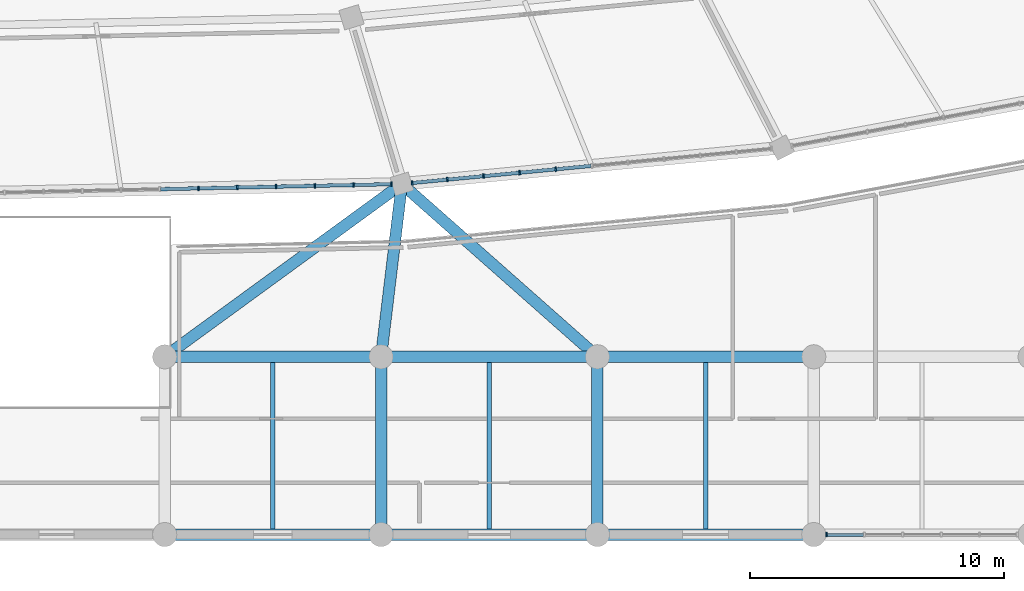
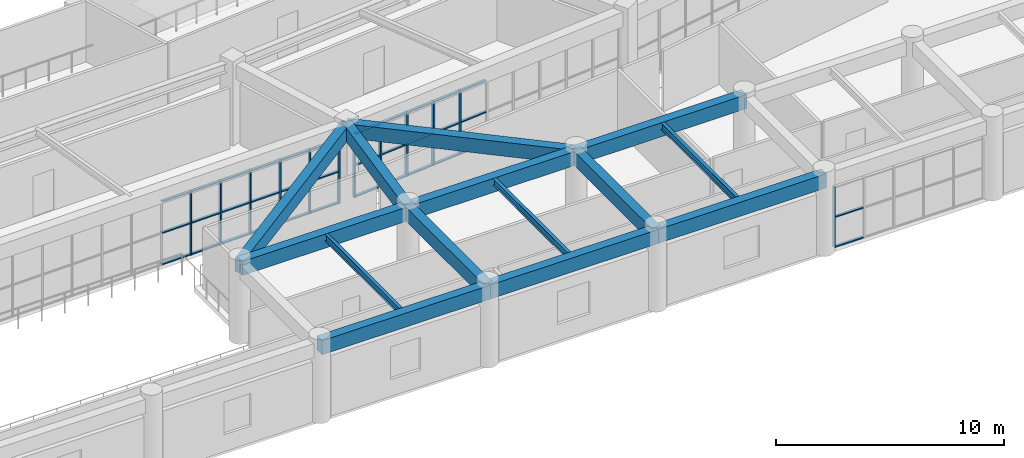
# One storey, part 31 of 141: 47 members, 14 beams, 3 elements without a shape of their own.
"""IFC4 building model written with IfcOpenShell, lengths in metres."""

from ifc_helpers import new_model, si_unit, direction, frame, origin, origin_2d, place, context, subcontext, project, spatial, rectangle, i_section, extrude, material, layer, layer_set, material_profile, profile_set, type_object, element, aggregate, save


model = new_model("IFC4")

# Units and contexts
model_context = context("Model", 3, precision=1e-05, world=origin(), true_north=direction((0.0, 1.0)))
body_context = subcontext(model_context, "Body", "Model", "MODEL_VIEW")
ifc_project = project(units=[si_unit("LENGTHUNIT", "METRE"), si_unit("AREAUNIT", "SQUARE_METRE"), si_unit("VOLUMEUNIT", "CUBIC_METRE"), si_unit("PLANEANGLEUNIT", "RADIAN"), si_unit("MASSUNIT", "GRAM", prefix="KILO")], contexts=[model_context])

# Site, building, storey
site_placement = place(None, origin())
site = spatial("IfcSite", under=ifc_project, at=site_placement, CompositionType="ELEMENT")
building_placement = place(site_placement, origin())
building = spatial("IfcBuilding", under=site, at=building_placement, Name="Mphavela Belvedere Stadium", CompositionType="ELEMENT")
storey_placement = place(building_placement, frame((0.0, 0.0, 14.699951171875)))
storey = spatial("IfcBuildingStorey", under=building, at=storey_placement, Name="L03", CompositionType="ELEMENT", Elevation=14.699951171875)

# Beams
ifc_material_1 = material(Name="Steel S355", Category="steel")
ifc_material_profile_1 = material_profile(ifc_material_1, i_section(OverallWidth=0.169921875, OverallDepth=0.360107421875, WebThickness=0.008056640625, FlangeThickness=0.0126953125, at=origin_2d()), Name="IPE 360")
ifc_profile_set_1 = profile_set([ifc_material_profile_1], Name="Steel S355")
beam_type_1 = type_object("IfcBeamType", Name="BM-JOIST-IPE360", PredefinedType="JOIST", material=ifc_profile_set_1)
for number, where, z_axis, x_axis, name in (
    (1, (132.037109375, 0.22509765625, 4.06005859375), (0.0, 1.0, 0.0), (-1.0, 0.0, 0.0), "South Axial Triumphal Peristyle Portico secondary joist L03 16-1"),
    (2, (140.555419921875, 0.22509765625, 4.06005859375), (0.0, 1.0, 0.0), (-1.0, 0.0, 0.0), "South Axial Triumphal Peristyle Portico secondary joist L03 17-1"),
    (3, (149.073974609375, 0.22509765625, 4.06005859375), (0.0, 1.0, 0.0), (-1.0, 0.0, 0.0), "South Axial Triumphal Peristyle Portico secondary joist L03 18-1"),
):
    element("IfcBeam", number, at=place(storey_placement, frame(where, z_axis=z_axis, x_axis=x_axis)), inside=storey, type_object=beam_type_1, Name=name, PredefinedType="JOIST", context=body_context, shape_type="SweptSolid", body=[
        extrude(i_section(OverallWidth=0.169921875, OverallDepth=0.360107421875, WebThickness=0.008056640625, FlangeThickness=0.0126953125, at=origin_2d()), origin(), (0.0, 0.0, 1.0), 6.5498046875),
    ])
ifc_material_2 = material(Name="Concrete C40/50", Category="concrete")
ifc_material_profile_2 = material_profile(ifc_material_2, rectangle(XDim=0.449951171875, YDim=0.75, at=origin_2d()), Name="RC 450x750")
ifc_profile_set_2 = profile_set([ifc_material_profile_2], Name="Concrete C40/50")
beam_type_2 = type_object("IfcBeamType", Name="BM-RC450x750", PredefinedType="BEAM", material=ifc_profile_set_2)
for number, where, z_axis, x_axis, name in (
    (4, (127.778076171875, 0.0, 3.864990234375), (1.0, 0.0, 0.0), (0.0, 1.0, 0.0), "South Axial Triumphal Peristyle Portico entablature beam X L03 16-1"),
    (5, (127.778076171875, 7.0, 3.864990234375), (1.0, 0.0, 0.0), (0.0, 1.0, 0.0), "South Axial Triumphal Peristyle Portico entablature beam X L03 16-2"),
):
    element("IfcBeam", number, at=place(storey_placement, frame(where, z_axis=z_axis, x_axis=x_axis)), inside=storey, type_object=beam_type_2, Name=name, PredefinedType="BEAM", context=body_context, shape_type="SweptSolid", body=[
        extrude(rectangle(XDim=0.449951171875, YDim=0.75, at=origin_2d()), origin(), (0.0, 0.0, 1.0), 8.517822265625),
    ])
beam_1_placement = place(storey_placement, frame((136.2958984375, 0.0, 3.864990234375), z_axis=(1.0, 0.0, 0.0), x_axis=(0.0, 1.0, 0.0)))
element("IfcBeam", 6, at=beam_1_placement, inside=storey, type_object=beam_type_2, Name="South Axial Triumphal Peristyle Portico entablature beam X L03 17-1", PredefinedType="BEAM", context=body_context, shape_type="SweptSolid", body=[
    extrude(rectangle(XDim=0.449951171875, YDim=0.75, at=origin_2d()), origin(), (0.0, 0.0, 1.0), 8.51904296875),
])
beam_2_placement = place(storey_placement, frame((136.2958984375, 0.0, 3.864990234375), z_axis=(0.0, 1.0, 0.0), x_axis=(-1.0, 0.0, 0.0)))
element("IfcBeam", 7, at=beam_2_placement, inside=storey, type_object=beam_type_2, Name="South Axial Triumphal Peristyle Portico entablature beam Y L03 17-1", PredefinedType="BEAM", context=body_context, shape_type="SweptSolid", body=[
    extrude(rectangle(XDim=0.449951171875, YDim=0.75, at=origin_2d()), origin(), (0.0, 0.0, 1.0), 7.0),
])
beam_3_placement = place(storey_placement, frame((136.2958984375, 7.0, 3.864990234375), z_axis=(1.0, 0.0, 0.0), x_axis=(0.0, 1.0, 0.0)))
element("IfcBeam", 8, at=beam_3_placement, inside=storey, type_object=beam_type_2, Name="South Axial Triumphal Peristyle Portico entablature beam X L03 17-2", PredefinedType="BEAM", context=body_context, shape_type="SweptSolid", body=[
    extrude(rectangle(XDim=0.449951171875, YDim=0.75, at=origin_2d()), origin(), (0.0, 0.0, 1.0), 8.51904296875),
])
beam_4_placement = place(storey_placement, frame((144.81494140625, 0.0, 3.864990234375), z_axis=(1.0, 0.0, 0.0), x_axis=(0.0, 1.0, 0.0)))
element("IfcBeam", 9, at=beam_4_placement, inside=storey, type_object=beam_type_2, Name="South Axial Triumphal Peristyle Portico entablature beam X L03 18-1", PredefinedType="BEAM", context=body_context, shape_type="SweptSolid", body=[
    extrude(rectangle(XDim=0.449951171875, YDim=0.75, at=origin_2d()), origin(), (0.0, 0.0, 1.0), 8.51806640625),
])
beam_5_placement = place(storey_placement, frame((144.81494140625, 0.0, 3.864990234375), z_axis=(0.0, 1.0, 0.0), x_axis=(-1.0, 0.0, 0.0)))
element("IfcBeam", 10, at=beam_5_placement, inside=storey, type_object=beam_type_2, Name="South Axial Triumphal Peristyle Portico entablature beam Y L03 18-1", PredefinedType="BEAM", context=body_context, shape_type="SweptSolid", body=[
    extrude(rectangle(XDim=0.449951171875, YDim=0.75, at=origin_2d()), origin(), (0.0, 0.0, 1.0), 7.0),
])
beam_6_placement = place(storey_placement, frame((144.81494140625, 7.0, 3.864990234375), z_axis=(1.0, 0.0, 0.0), x_axis=(0.0, 1.0, 0.0)))
element("IfcBeam", 11, at=beam_6_placement, inside=storey, type_object=beam_type_2, Name="South Axial Triumphal Peristyle Portico entablature beam X L03 18-2", PredefinedType="BEAM", context=body_context, shape_type="SweptSolid", body=[
    extrude(rectangle(XDim=0.449951171875, YDim=0.75, at=origin_2d()), origin(), (0.0, 0.0, 1.0), 8.51806640625),
])
beam_7_placement = place(storey_placement, frame((127.778076171875, 7.0, 3.864990234375), z_axis=(0.808075844415, 0.589078457994, 0.0), x_axis=(-0.589078457994, 0.808075844415, 0.0)))
element("IfcBeam", 12, at=beam_7_placement, inside=storey, type_object=beam_type_2, Name="South Axial Triumphal Peristyle Portico bowl link girder L03-2", PredefinedType="BEAM", context=body_context, shape_type="SweptSolid", body=[
    extrude(rectangle(XDim=0.449951171875, YDim=0.75, at=origin_2d()), origin(), (0.0, 0.0, 1.0), 11.553955078125),
])
beam_8_placement = place(storey_placement, frame((136.2958984375, 7.0, 3.864990234375), z_axis=(0.119413444072, 0.99284461492, 0.0), x_axis=(-0.99284461492, 0.119413444072, 0.0)))
element("IfcBeam", 13, at=beam_8_placement, inside=storey, type_object=beam_type_2, Name="South Axial Triumphal Peristyle Portico bowl link girder L03-4", PredefinedType="BEAM", context=body_context, shape_type="SweptSolid", body=[
    extrude(rectangle(XDim=0.449951171875, YDim=0.75, at=origin_2d()), origin(), (0.0, 0.0, 1.0), 6.855224609375),
])
beam_9_placement = place(storey_placement, frame((144.81494140625, 7.0, 3.864990234375), z_axis=(-0.749275353375, 0.662258593621, 0.0), x_axis=(-0.662258593621, -0.749275353375, 0.0)))
element("IfcBeam", 14, at=beam_9_placement, inside=storey, type_object=beam_type_2, Name="South Axial Triumphal Peristyle Portico bowl link girder L03-6", PredefinedType="BEAM", context=body_context, shape_type="SweptSolid", body=[
    extrude(rectangle(XDim=0.449951171875, YDim=0.75, at=origin_2d()), origin(), (0.0, 0.0, 1.0), 10.277099609375),
])

# Curtain wall, members
ifc_material_3 = material(Name="Anodised bronze unitised curtain wall framing")
ifc_layer_1 = layer(ifc_material_3, 0.179931640625)
ifc_layer_set_1 = layer_set([ifc_layer_1], Name="Anodised bronze unitised curtain wall framing")
curtain_wall_type_1 = type_object("IfcCurtainWallType", Name="CW-UNIT-01", PredefinedType="USERDEFINED", material=ifc_layer_set_1)
curtain_wall_1_placement = place(storey_placement, origin())
curtain_wall_1 = element("IfcCurtainWall", 15, at=curtain_wall_1_placement, inside=storey, type_object=curtain_wall_type_1, Name="Belvedere colonnade curtain wall L03-37", ObjectType="UNITISED CURTAIN WALL", PredefinedType="USERDEFINED")
ifc_material_4 = material(Name="Anodised bronze extruded aluminium", Category="aluminium")
ifc_material_profile_3 = material_profile(ifc_material_4, rectangle(XDim=0.179931640625, YDim=0.06494140625, at=origin_2d()), Name="CW-MUL 180x65")
ifc_profile_set_3 = profile_set([ifc_material_profile_3], Name="Anodised bronze extruded aluminium")
member_type_1 = type_object("IfcMemberType", Name="CWM-180x65", PredefinedType="MULLION", material=ifc_profile_set_3)
member_1_placement = place(storey_placement, frame((129.110107421875, 13.6337890625, 0.0), z_axis=(0.0, 0.0, 1.0), x_axis=(-0.02153107878, 0.999768179453, 0.0)))
member_1 = element("IfcMember", 16, at=member_1_placement, type_object=member_type_1, Name="CW-01 mullion 10", PredefinedType="MULLION", context=body_context, shape_type="SweptSolid", body=[
    extrude(rectangle(XDim=0.179931640625, YDim=0.06494140625, at=origin_2d()), origin(), (0.0, 0.0, 1.0), 3.420166015625),
])
member_2_placement = place(storey_placement, frame((130.63623046875, 13.666748046875, 0.0), z_axis=(0.0, 0.0, 1.0), x_axis=(-0.02153107878, 0.999768179453, 0.0)))
member_2 = element("IfcMember", 17, at=member_2_placement, type_object=member_type_1, Name="CW-01 mullion 11", PredefinedType="MULLION", context=body_context, shape_type="SweptSolid", body=[
    extrude(rectangle(XDim=0.179931640625, YDim=0.06494140625, at=origin_2d()), origin(), (0.0, 0.0, 1.0), 3.420166015625),
])
member_3_placement = place(storey_placement, frame((132.16259765625, 13.69970703125, 0.0), z_axis=(0.0, 0.0, 1.0), x_axis=(-0.02153107878, 0.999768179453, 0.0)))
member_3 = element("IfcMember", 18, at=member_3_placement, type_object=member_type_1, Name="CW-01 mullion 12", PredefinedType="MULLION", context=body_context, shape_type="SweptSolid", body=[
    extrude(rectangle(XDim=0.179931640625, YDim=0.06494140625, at=origin_2d()), origin(), (0.0, 0.0, 1.0), 3.420166015625),
])
member_4_placement = place(storey_placement, frame((133.68896484375, 13.732421875, 0.0), z_axis=(0.0, 0.0, 1.0), x_axis=(-0.02153107878, 0.999768179453, 0.0)))
member_4 = element("IfcMember", 19, at=member_4_placement, type_object=member_type_1, Name="CW-01 mullion 13", PredefinedType="MULLION", context=body_context, shape_type="SweptSolid", body=[
    extrude(rectangle(XDim=0.179931640625, YDim=0.06494140625, at=origin_2d()), origin(), (0.0, 0.0, 1.0), 3.420166015625),
])
member_5_placement = place(storey_placement, frame((135.21533203125, 13.765380859375, 0.0), z_axis=(0.0, 0.0, 1.0), x_axis=(-0.02153107878, 0.999768179453, 0.0)))
member_5 = element("IfcMember", 20, at=member_5_placement, type_object=member_type_1, Name="CW-01 mullion 14", PredefinedType="MULLION", context=body_context, shape_type="SweptSolid", body=[
    extrude(rectangle(XDim=0.179931640625, YDim=0.06494140625, at=origin_2d()), origin(), (0.0, 0.0, 1.0), 3.420166015625),
])
member_6_placement = place(storey_placement, frame((136.709228515625, 13.797607421875, 0.0), z_axis=(0.0, 0.0, 1.0), x_axis=(-0.02153107878, 0.999768179453, 0.0)))
member_6 = element("IfcMember", 21, at=member_6_placement, type_object=member_type_1, Name="CW-01 mullion 15", PredefinedType="MULLION", context=body_context, shape_type="SweptSolid", body=[
    extrude(rectangle(XDim=0.179931640625, YDim=0.06494140625, at=origin_2d()), origin(), (0.0, 0.0, 1.0), 3.420166015625),
])

ifc_material_5 = material(Name="Anodised bronze unitised curtain wall framing")
ifc_layer_2 = layer(ifc_material_5, 0.18505859375)
ifc_layer_set_2 = layer_set([ifc_layer_2], Name="Anodised bronze unitised curtain wall framing")
curtain_wall_type_2 = type_object("IfcCurtainWallType", Name="CW-UNIT-02", PredefinedType="USERDEFINED", material=ifc_layer_set_2)
curtain_wall_2_placement = place(storey_placement, origin())
curtain_wall_2 = element("IfcCurtainWall", 22, at=curtain_wall_2_placement, inside=storey, type_object=curtain_wall_type_2, Name="Belvedere colonnade curtain wall L03-38", ObjectType="UNITISED CURTAIN WALL", PredefinedType="USERDEFINED")
member_7_placement = place(storey_placement, frame((137.518310546875, 13.8447265625, 0.0), z_axis=(0.0, 0.0, 1.0), x_axis=(-0.094929381996, 0.99548400913, 0.0)))
member_7 = element("IfcMember", 23, at=member_7_placement, type_object=member_type_1, Name="CW-02 mullion 1", PredefinedType="MULLION", context=body_context, shape_type="SweptSolid", body=[
    extrude(rectangle(XDim=0.179931640625, YDim=0.06494140625, at=origin_2d()), origin(), (0.0, 0.0, 1.0), 3.420166015625),
])
member_8_placement = place(storey_placement, frame((138.907470703125, 13.97705078125, 0.0), z_axis=(0.0, 0.0, 1.0), x_axis=(-0.094929381996, 0.99548400913, 0.0)))
member_8 = element("IfcMember", 24, at=member_8_placement, type_object=member_type_1, Name="CW-02 mullion 2", PredefinedType="MULLION", context=body_context, shape_type="SweptSolid", body=[
    extrude(rectangle(XDim=0.179931640625, YDim=0.06494140625, at=origin_2d()), origin(), (0.0, 0.0, 1.0), 3.420166015625),
])
member_9_placement = place(storey_placement, frame((140.3291015625, 14.11279296875, 0.0), z_axis=(0.0, 0.0, 1.0), x_axis=(-0.094929381996, 0.99548400913, 0.0)))
member_9 = element("IfcMember", 25, at=member_9_placement, type_object=member_type_1, Name="CW-02 mullion 3", PredefinedType="MULLION", context=body_context, shape_type="SweptSolid", body=[
    extrude(rectangle(XDim=0.179931640625, YDim=0.06494140625, at=origin_2d()), origin(), (0.0, 0.0, 1.0), 3.420166015625),
])
member_10_placement = place(storey_placement, frame((141.75048828125, 14.248291015625, 0.0), z_axis=(0.0, 0.0, 1.0), x_axis=(-0.094929381996, 0.99548400913, 0.0)))
member_10 = element("IfcMember", 26, at=member_10_placement, type_object=member_type_1, Name="CW-02 mullion 4", PredefinedType="MULLION", context=body_context, shape_type="SweptSolid", body=[
    extrude(rectangle(XDim=0.179931640625, YDim=0.06494140625, at=origin_2d()), origin(), (0.0, 0.0, 1.0), 3.420166015625),
])
member_11_placement = place(storey_placement, frame((143.172119140625, 14.3837890625, 0.0), z_axis=(0.0, 0.0, 1.0), x_axis=(-0.094929381996, 0.99548400913, 0.0)))
member_11 = element("IfcMember", 27, at=member_11_placement, type_object=member_type_1, Name="CW-02 mullion 5", PredefinedType="MULLION", context=body_context, shape_type="SweptSolid", body=[
    extrude(rectangle(XDim=0.179931640625, YDim=0.06494140625, at=origin_2d()), origin(), (0.0, 0.0, 1.0), 3.420166015625),
])

# Curtain wall, member
curtain_wall_3_placement = place(storey_placement, origin())
curtain_wall_3 = element("IfcCurtainWall", 28, at=curtain_wall_3_placement, inside=storey, type_object=curtain_wall_type_1, Name="South Axial Triumphal Peristyle Portico gallery curtain wall L03-19", ObjectType="UNITISED CURTAIN WALL", PredefinedType="USERDEFINED")
member_12_placement = place(storey_placement, frame((153.83837890625, 0.0, 0.0), z_axis=(0.0, 0.0, 1.0), x_axis=(0.0, -1.0, 0.0)))
member_12 = element("IfcMember", 29, at=member_12_placement, type_object=member_type_1, Name="CW-01 mullion 6", PredefinedType="MULLION", context=body_context, shape_type="SweptSolid", body=[
    extrude(rectangle(XDim=0.179931640625, YDim=0.06494140625, at=origin_2d()), origin(), (0.0, 0.0, 1.0), 3.260009765625),
])

# Member
ifc_material_6 = material(Name="Anodised bronze extruded aluminium", Category="aluminium")
ifc_material_profile_4 = material_profile(ifc_material_6, rectangle(XDim=0.139892578125, YDim=0.06005859375, at=origin_2d()), Name="CW-TRN 140x60")
ifc_profile_set_4 = profile_set([ifc_material_profile_4], Name="Anodised bronze extruded aluminium")
member_type_2 = type_object("IfcMemberType", Name="CWT-140x60", PredefinedType="USERDEFINED", material=ifc_profile_set_4)
member_13_placement = place(storey_placement, frame((127.6162109375, 13.6015625, 0.030029296875), z_axis=(0.99976779593, 0.021548879812, 0.0), x_axis=(-0.021548879812, 0.99976779593, 0.0)))
member_13 = element("IfcMember", 30, at=member_13_placement, type_object=member_type_2, Name="CW-01 transom 9.1", ObjectType="TRANSOM", PredefinedType="USERDEFINED", context=body_context, shape_type="SweptSolid", body=[
    extrude(rectangle(XDim=0.139892578125, YDim=0.06005859375, at=origin_2d()), origin(), (0.0, 0.0, 1.0), 1.46142578125),
])

member_14_placement = place(storey_placement, frame((127.6162109375, 13.6015625, 1.7099609375), z_axis=(0.99976779593, 0.021548879812, 0.0), x_axis=(-0.021548879812, 0.99976779593, 0.0)))
member_14 = element("IfcMember", 31, at=member_14_placement, type_object=member_type_2, Name="CW-01 transom 9.2", ObjectType="TRANSOM", PredefinedType="USERDEFINED", context=body_context, shape_type="SweptSolid", body=[
    extrude(rectangle(XDim=0.139892578125, YDim=0.06005859375, at=origin_2d()), origin(), (0.0, 0.0, 1.0), 1.46142578125),
])

member_15_placement = place(storey_placement, frame((127.6162109375, 13.6015625, 3.39013671875), z_axis=(0.99976779593, 0.021548879812, 0.0), x_axis=(-0.021548879812, 0.99976779593, 0.0)))
member_15 = element("IfcMember", 32, at=member_15_placement, type_object=member_type_2, Name="CW-01 transom 9.3", ObjectType="TRANSOM", PredefinedType="USERDEFINED", context=body_context, shape_type="SweptSolid", body=[
    extrude(rectangle(XDim=0.139892578125, YDim=0.06005859375, at=origin_2d()), origin(), (0.0, 0.0, 1.0), 1.46142578125),
])

member_16_placement = place(storey_placement, frame((129.142578125, 13.634521484375, 0.030029296875), z_axis=(0.99976779593, 0.021548879812, 0.0), x_axis=(-0.021548879812, 0.99976779593, 0.0)))
member_16 = element("IfcMember", 33, at=member_16_placement, type_object=member_type_2, Name="CW-01 transom 10.1", ObjectType="TRANSOM", PredefinedType="USERDEFINED", context=body_context, shape_type="SweptSolid", body=[
    extrude(rectangle(XDim=0.139892578125, YDim=0.06005859375, at=origin_2d()), origin(), (0.0, 0.0, 1.0), 1.46142578125),
])

member_17_placement = place(storey_placement, frame((129.142578125, 13.634521484375, 1.7099609375), z_axis=(0.99976779593, 0.021548879812, 0.0), x_axis=(-0.021548879812, 0.99976779593, 0.0)))
member_17 = element("IfcMember", 34, at=member_17_placement, type_object=member_type_2, Name="CW-01 transom 10.2", ObjectType="TRANSOM", PredefinedType="USERDEFINED", context=body_context, shape_type="SweptSolid", body=[
    extrude(rectangle(XDim=0.139892578125, YDim=0.06005859375, at=origin_2d()), origin(), (0.0, 0.0, 1.0), 1.46142578125),
])

member_18_placement = place(storey_placement, frame((129.142578125, 13.634521484375, 3.39013671875), z_axis=(0.99976779593, 0.021548879812, 0.0), x_axis=(-0.021548879812, 0.99976779593, 0.0)))
member_18 = element("IfcMember", 35, at=member_18_placement, type_object=member_type_2, Name="CW-01 transom 10.3", ObjectType="TRANSOM", PredefinedType="USERDEFINED", context=body_context, shape_type="SweptSolid", body=[
    extrude(rectangle(XDim=0.139892578125, YDim=0.06005859375, at=origin_2d()), origin(), (0.0, 0.0, 1.0), 1.46142578125),
])

member_19_placement = place(storey_placement, frame((130.668701171875, 13.66748046875, 0.030029296875), z_axis=(0.999767873479, 0.021545281604, 0.0), x_axis=(-0.021545281604, 0.999767873479, 0.0)))
member_19 = element("IfcMember", 36, at=member_19_placement, type_object=member_type_2, Name="CW-01 transom 11.1", ObjectType="TRANSOM", PredefinedType="USERDEFINED", context=body_context, shape_type="SweptSolid", body=[
    extrude(rectangle(XDim=0.139892578125, YDim=0.06005859375, at=origin_2d()), origin(), (0.0, 0.0, 1.0), 1.461669921875),
])

member_20_placement = place(storey_placement, frame((130.668701171875, 13.66748046875, 1.7099609375), z_axis=(0.999767873479, 0.021545281604, 0.0), x_axis=(-0.021545281604, 0.999767873479, 0.0)))
member_20 = element("IfcMember", 37, at=member_20_placement, type_object=member_type_2, Name="CW-01 transom 11.2", ObjectType="TRANSOM", PredefinedType="USERDEFINED", context=body_context, shape_type="SweptSolid", body=[
    extrude(rectangle(XDim=0.139892578125, YDim=0.06005859375, at=origin_2d()), origin(), (0.0, 0.0, 1.0), 1.461669921875),
])

member_21_placement = place(storey_placement, frame((130.668701171875, 13.66748046875, 3.39013671875), z_axis=(0.999767873479, 0.021545281604, 0.0), x_axis=(-0.021545281604, 0.999767873479, 0.0)))
member_21 = element("IfcMember", 38, at=member_21_placement, type_object=member_type_2, Name="CW-01 transom 11.3", ObjectType="TRANSOM", PredefinedType="USERDEFINED", context=body_context, shape_type="SweptSolid", body=[
    extrude(rectangle(XDim=0.139892578125, YDim=0.06005859375, at=origin_2d()), origin(), (0.0, 0.0, 1.0), 1.461669921875),
])

member_22_placement = place(storey_placement, frame((132.195068359375, 13.7001953125, 0.030029296875), z_axis=(0.999767873479, 0.021545281604, 0.0), x_axis=(-0.021545281604, 0.999767873479, 0.0)))
member_22 = element("IfcMember", 39, at=member_22_placement, type_object=member_type_2, Name="CW-01 transom 12.1", ObjectType="TRANSOM", PredefinedType="USERDEFINED", context=body_context, shape_type="SweptSolid", body=[
    extrude(rectangle(XDim=0.139892578125, YDim=0.06005859375, at=origin_2d()), origin(), (0.0, 0.0, 1.0), 1.461669921875),
])

member_23_placement = place(storey_placement, frame((132.195068359375, 13.7001953125, 1.7099609375), z_axis=(0.999767873479, 0.021545281604, 0.0), x_axis=(-0.021545281604, 0.999767873479, 0.0)))
member_23 = element("IfcMember", 40, at=member_23_placement, type_object=member_type_2, Name="CW-01 transom 12.2", ObjectType="TRANSOM", PredefinedType="USERDEFINED", context=body_context, shape_type="SweptSolid", body=[
    extrude(rectangle(XDim=0.139892578125, YDim=0.06005859375, at=origin_2d()), origin(), (0.0, 0.0, 1.0), 1.461669921875),
])

member_24_placement = place(storey_placement, frame((132.195068359375, 13.7001953125, 3.39013671875), z_axis=(0.999767873479, 0.021545281604, 0.0), x_axis=(-0.021545281604, 0.999767873479, 0.0)))
member_24 = element("IfcMember", 41, at=member_24_placement, type_object=member_type_2, Name="CW-01 transom 12.3", ObjectType="TRANSOM", PredefinedType="USERDEFINED", context=body_context, shape_type="SweptSolid", body=[
    extrude(rectangle(XDim=0.139892578125, YDim=0.06005859375, at=origin_2d()), origin(), (0.0, 0.0, 1.0), 1.461669921875),
])

member_25_placement = place(storey_placement, frame((133.721435546875, 13.733154296875, 0.030029296875), z_axis=(0.999767873479, 0.021545281604, 0.0), x_axis=(-0.021545281604, 0.999767873479, 0.0)))
member_25 = element("IfcMember", 42, at=member_25_placement, type_object=member_type_2, Name="CW-01 transom 13.1", ObjectType="TRANSOM", PredefinedType="USERDEFINED", context=body_context, shape_type="SweptSolid", body=[
    extrude(rectangle(XDim=0.139892578125, YDim=0.06005859375, at=origin_2d()), origin(), (0.0, 0.0, 1.0), 1.461669921875),
])

member_26_placement = place(storey_placement, frame((133.721435546875, 13.733154296875, 1.7099609375), z_axis=(0.999767873479, 0.021545281604, 0.0), x_axis=(-0.021545281604, 0.999767873479, 0.0)))
member_26 = element("IfcMember", 43, at=member_26_placement, type_object=member_type_2, Name="CW-01 transom 13.2", ObjectType="TRANSOM", PredefinedType="USERDEFINED", context=body_context, shape_type="SweptSolid", body=[
    extrude(rectangle(XDim=0.139892578125, YDim=0.06005859375, at=origin_2d()), origin(), (0.0, 0.0, 1.0), 1.461669921875),
])

member_27_placement = place(storey_placement, frame((133.721435546875, 13.733154296875, 3.39013671875), z_axis=(0.999767873479, 0.021545281604, 0.0), x_axis=(-0.021545281604, 0.999767873479, 0.0)))
member_27 = element("IfcMember", 44, at=member_27_placement, type_object=member_type_2, Name="CW-01 transom 13.3", ObjectType="TRANSOM", PredefinedType="USERDEFINED", context=body_context, shape_type="SweptSolid", body=[
    extrude(rectangle(XDim=0.139892578125, YDim=0.06005859375, at=origin_2d()), origin(), (0.0, 0.0, 1.0), 1.461669921875),
])

member_28_placement = place(storey_placement, frame((135.247802734375, 13.76611328125, 0.030029296875), z_axis=(0.999768365561, 0.021522435343, 0.0), x_axis=(-0.021522435343, 0.999768365561, 0.0)))
member_28 = element("IfcMember", 45, at=member_28_placement, type_object=member_type_2, Name="CW-01 transom 14.1", ObjectType="TRANSOM", PredefinedType="USERDEFINED", context=body_context, shape_type="SweptSolid", body=[
    extrude(rectangle(XDim=0.139892578125, YDim=0.06005859375, at=origin_2d()), origin(), (0.0, 0.0, 1.0), 1.42919921875),
])

member_29_placement = place(storey_placement, frame((135.247802734375, 13.76611328125, 1.7099609375), z_axis=(0.999768365561, 0.021522435343, 0.0), x_axis=(-0.021522435343, 0.999768365561, 0.0)))
member_29 = element("IfcMember", 46, at=member_29_placement, type_object=member_type_2, Name="CW-01 transom 14.2", ObjectType="TRANSOM", PredefinedType="USERDEFINED", context=body_context, shape_type="SweptSolid", body=[
    extrude(rectangle(XDim=0.139892578125, YDim=0.06005859375, at=origin_2d()), origin(), (0.0, 0.0, 1.0), 1.42919921875),
])

member_30_placement = place(storey_placement, frame((135.247802734375, 13.76611328125, 3.39013671875), z_axis=(0.999768365561, 0.021522435343, 0.0), x_axis=(-0.021522435343, 0.999768365561, 0.0)))
member_30 = element("IfcMember", 47, at=member_30_placement, type_object=member_type_2, Name="CW-01 transom 14.3", ObjectType="TRANSOM", PredefinedType="USERDEFINED", context=body_context, shape_type="SweptSolid", body=[
    extrude(rectangle(XDim=0.139892578125, YDim=0.06005859375, at=origin_2d()), origin(), (0.0, 0.0, 1.0), 1.42919921875),
])

aggregate(curtain_wall_1, [member_1, member_2, member_3, member_4, member_5, member_6, member_13, member_14, member_15, member_16, member_17, member_18, member_19, member_20, member_21, member_22, member_23, member_24, member_25, member_26, member_27, member_28, member_29, member_30])

member_31_placement = place(storey_placement, frame((137.550537109375, 13.84765625, 0.030029296875), z_axis=(0.995472351283, 0.095051553542, 0.0), x_axis=(-0.095051553542, 0.995472351283, 0.0)))
member_31 = element("IfcMember", 48, at=member_31_placement, type_object=member_type_2, Name="CW-02 transom 1.1", ObjectType="TRANSOM", PredefinedType="USERDEFINED", context=body_context, shape_type="SweptSolid", body=[
    extrude(rectangle(XDim=0.139892578125, YDim=0.06005859375, at=origin_2d()), origin(), (0.0, 0.0, 1.0), 1.33056640625),
])

member_32_placement = place(storey_placement, frame((137.550537109375, 13.84765625, 1.7099609375), z_axis=(0.995472351283, 0.095051553542, 0.0), x_axis=(-0.095051553542, 0.995472351283, 0.0)))
member_32 = element("IfcMember", 49, at=member_32_placement, type_object=member_type_2, Name="CW-02 transom 1.2", ObjectType="TRANSOM", PredefinedType="USERDEFINED", context=body_context, shape_type="SweptSolid", body=[
    extrude(rectangle(XDim=0.139892578125, YDim=0.06005859375, at=origin_2d()), origin(), (0.0, 0.0, 1.0), 1.33056640625),
])

member_33_placement = place(storey_placement, frame((137.550537109375, 13.84765625, 3.39013671875), z_axis=(0.995472351283, 0.095051553542, 0.0), x_axis=(-0.095051553542, 0.995472351283, 0.0)))
member_33 = element("IfcMember", 50, at=member_33_placement, type_object=member_type_2, Name="CW-02 transom 1.3", ObjectType="TRANSOM", PredefinedType="USERDEFINED", context=body_context, shape_type="SweptSolid", body=[
    extrude(rectangle(XDim=0.139892578125, YDim=0.06005859375, at=origin_2d()), origin(), (0.0, 0.0, 1.0), 1.33056640625),
])

member_34_placement = place(storey_placement, frame((138.939697265625, 13.980224609375, 0.030029296875), z_axis=(0.995484195822, 0.094927424215, 0.0), x_axis=(-0.094927424215, 0.995484195822, 0.0)))
member_34 = element("IfcMember", 51, at=member_34_placement, type_object=member_type_2, Name="CW-02 transom 2.1", ObjectType="TRANSOM", PredefinedType="USERDEFINED", context=body_context, shape_type="SweptSolid", body=[
    extrude(rectangle(XDim=0.139892578125, YDim=0.06005859375, at=origin_2d()), origin(), (0.0, 0.0, 1.0), 1.363037109375),
])

member_35_placement = place(storey_placement, frame((138.939697265625, 13.980224609375, 1.7099609375), z_axis=(0.995484195822, 0.094927424215, 0.0), x_axis=(-0.094927424215, 0.995484195822, 0.0)))
member_35 = element("IfcMember", 52, at=member_35_placement, type_object=member_type_2, Name="CW-02 transom 2.2", ObjectType="TRANSOM", PredefinedType="USERDEFINED", context=body_context, shape_type="SweptSolid", body=[
    extrude(rectangle(XDim=0.139892578125, YDim=0.06005859375, at=origin_2d()), origin(), (0.0, 0.0, 1.0), 1.363037109375),
])

member_36_placement = place(storey_placement, frame((138.939697265625, 13.980224609375, 3.39013671875), z_axis=(0.995484195822, 0.094927424215, 0.0), x_axis=(-0.094927424215, 0.995484195822, 0.0)))
member_36 = element("IfcMember", 53, at=member_36_placement, type_object=member_type_2, Name="CW-02 transom 2.3", ObjectType="TRANSOM", PredefinedType="USERDEFINED", context=body_context, shape_type="SweptSolid", body=[
    extrude(rectangle(XDim=0.139892578125, YDim=0.06005859375, at=origin_2d()), origin(), (0.0, 0.0, 1.0), 1.363037109375),
])

member_37_placement = place(storey_placement, frame((140.361328125, 14.11572265625, 0.030029296875), z_axis=(0.995484195822, 0.094927424215, 0.0), x_axis=(-0.094927424215, 0.995484195822, 0.0)))
member_37 = element("IfcMember", 54, at=member_37_placement, type_object=member_type_2, Name="CW-02 transom 3.1", ObjectType="TRANSOM", PredefinedType="USERDEFINED", context=body_context, shape_type="SweptSolid", body=[
    extrude(rectangle(XDim=0.139892578125, YDim=0.06005859375, at=origin_2d()), origin(), (0.0, 0.0, 1.0), 1.363037109375),
])

member_38_placement = place(storey_placement, frame((140.361328125, 14.11572265625, 1.7099609375), z_axis=(0.995484195822, 0.094927424215, 0.0), x_axis=(-0.094927424215, 0.995484195822, 0.0)))
member_38 = element("IfcMember", 55, at=member_38_placement, type_object=member_type_2, Name="CW-02 transom 3.2", ObjectType="TRANSOM", PredefinedType="USERDEFINED", context=body_context, shape_type="SweptSolid", body=[
    extrude(rectangle(XDim=0.139892578125, YDim=0.06005859375, at=origin_2d()), origin(), (0.0, 0.0, 1.0), 1.363037109375),
])

member_39_placement = place(storey_placement, frame((140.361328125, 14.11572265625, 3.39013671875), z_axis=(0.995484195822, 0.094927424215, 0.0), x_axis=(-0.094927424215, 0.995484195822, 0.0)))
member_39 = element("IfcMember", 56, at=member_39_placement, type_object=member_type_2, Name="CW-02 transom 3.3", ObjectType="TRANSOM", PredefinedType="USERDEFINED", context=body_context, shape_type="SweptSolid", body=[
    extrude(rectangle(XDim=0.139892578125, YDim=0.06005859375, at=origin_2d()), origin(), (0.0, 0.0, 1.0), 1.363037109375),
])

member_40_placement = place(storey_placement, frame((141.782958984375, 14.25146484375, 0.030029296875), z_axis=(0.995484195822, 0.094927424215, 0.0), x_axis=(-0.094927424215, 0.995484195822, 0.0)))
member_40 = element("IfcMember", 57, at=member_40_placement, type_object=member_type_2, Name="CW-02 transom 4.1", ObjectType="TRANSOM", PredefinedType="USERDEFINED", context=body_context, shape_type="SweptSolid", body=[
    extrude(rectangle(XDim=0.139892578125, YDim=0.06005859375, at=origin_2d()), origin(), (0.0, 0.0, 1.0), 1.363037109375),
])

member_41_placement = place(storey_placement, frame((141.782958984375, 14.25146484375, 1.7099609375), z_axis=(0.995484195822, 0.094927424215, 0.0), x_axis=(-0.094927424215, 0.995484195822, 0.0)))
member_41 = element("IfcMember", 58, at=member_41_placement, type_object=member_type_2, Name="CW-02 transom 4.2", ObjectType="TRANSOM", PredefinedType="USERDEFINED", context=body_context, shape_type="SweptSolid", body=[
    extrude(rectangle(XDim=0.139892578125, YDim=0.06005859375, at=origin_2d()), origin(), (0.0, 0.0, 1.0), 1.363037109375),
])

member_42_placement = place(storey_placement, frame((141.782958984375, 14.25146484375, 3.39013671875), z_axis=(0.995484195822, 0.094927424215, 0.0), x_axis=(-0.094927424215, 0.995484195822, 0.0)))
member_42 = element("IfcMember", 59, at=member_42_placement, type_object=member_type_2, Name="CW-02 transom 4.3", ObjectType="TRANSOM", PredefinedType="USERDEFINED", context=body_context, shape_type="SweptSolid", body=[
    extrude(rectangle(XDim=0.139892578125, YDim=0.06005859375, at=origin_2d()), origin(), (0.0, 0.0, 1.0), 1.363037109375),
])

member_43_placement = place(storey_placement, frame((143.20458984375, 14.386962890625, 0.030029296875), z_axis=(0.995482581407, 0.094944352734, 0.0), x_axis=(-0.094944352734, 0.995482581407, 0.0)))
member_43 = element("IfcMember", 60, at=member_43_placement, type_object=member_type_2, Name="CW-02 transom 5.1", ObjectType="TRANSOM", PredefinedType="USERDEFINED", context=body_context, shape_type="SweptSolid", body=[
    extrude(rectangle(XDim=0.139892578125, YDim=0.06005859375, at=origin_2d()), origin(), (0.0, 0.0, 1.0), 1.36279296875),
])

member_44_placement = place(storey_placement, frame((143.20458984375, 14.386962890625, 1.7099609375), z_axis=(0.995482581407, 0.094944352734, 0.0), x_axis=(-0.094944352734, 0.995482581407, 0.0)))
member_44 = element("IfcMember", 61, at=member_44_placement, type_object=member_type_2, Name="CW-02 transom 5.2", ObjectType="TRANSOM", PredefinedType="USERDEFINED", context=body_context, shape_type="SweptSolid", body=[
    extrude(rectangle(XDim=0.139892578125, YDim=0.06005859375, at=origin_2d()), origin(), (0.0, 0.0, 1.0), 1.36279296875),
])

member_45_placement = place(storey_placement, frame((143.20458984375, 14.386962890625, 3.39013671875), z_axis=(0.995482581407, 0.094944352734, 0.0), x_axis=(-0.094944352734, 0.995482581407, 0.0)))
member_45 = element("IfcMember", 62, at=member_45_placement, type_object=member_type_2, Name="CW-02 transom 5.3", ObjectType="TRANSOM", PredefinedType="USERDEFINED", context=body_context, shape_type="SweptSolid", body=[
    extrude(rectangle(XDim=0.139892578125, YDim=0.06005859375, at=origin_2d()), origin(), (0.0, 0.0, 1.0), 1.36279296875),
])

aggregate(curtain_wall_2, [member_7, member_8, member_9, member_10, member_11, member_31, member_32, member_33, member_34, member_35, member_36, member_37, member_38, member_39, member_40, member_41, member_42, member_43, member_44, member_45])

member_46_placement = place(storey_placement, frame((155.2880859375, 0.0, 0.030029296875), z_axis=(-1.0, 0.0, 0.0), x_axis=(0.0, -1.0, 0.0)))
member_46 = element("IfcMember", 63, at=member_46_placement, type_object=member_type_2, Name="CW-01 transom 5.1", ObjectType="TRANSOM", PredefinedType="USERDEFINED", context=body_context, shape_type="SweptSolid", body=[
    extrude(rectangle(XDim=0.139892578125, YDim=0.06005859375, at=origin_2d()), origin(), (0.0, 0.0, 1.0), 1.4169921875),
])

member_47_placement = place(storey_placement, frame((155.2880859375, 0.0, 1.630126953125), z_axis=(-1.0, 0.0, 0.0), x_axis=(0.0, -1.0, 0.0)))
member_47 = element("IfcMember", 64, at=member_47_placement, type_object=member_type_2, Name="CW-01 transom 5.2", ObjectType="TRANSOM", PredefinedType="USERDEFINED", context=body_context, shape_type="SweptSolid", body=[
    extrude(rectangle(XDim=0.139892578125, YDim=0.06005859375, at=origin_2d()), origin(), (0.0, 0.0, 1.0), 1.4169921875),
])

aggregate(curtain_wall_3, [member_12, member_46, member_47])

save(model, "model.ifc")
